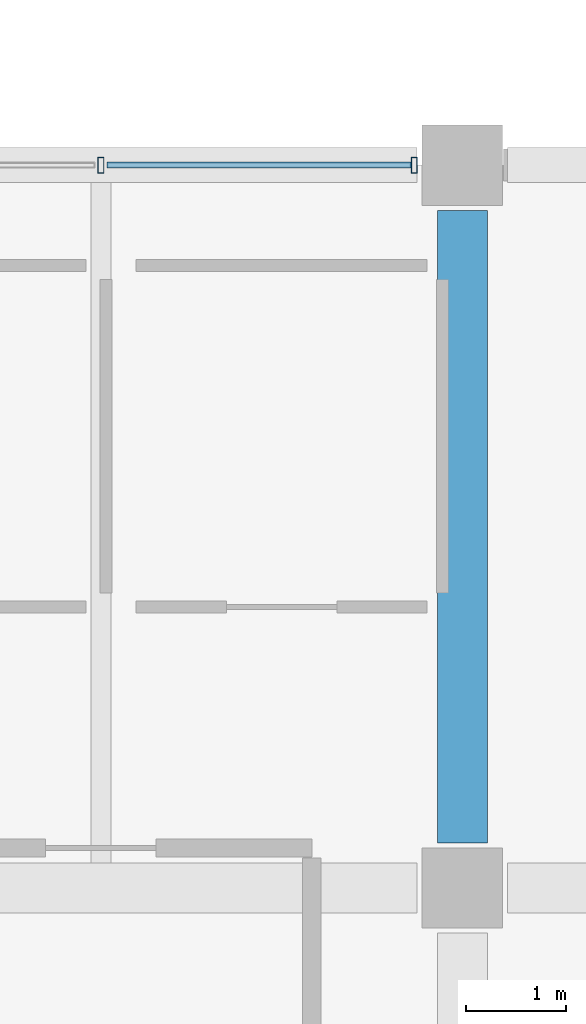
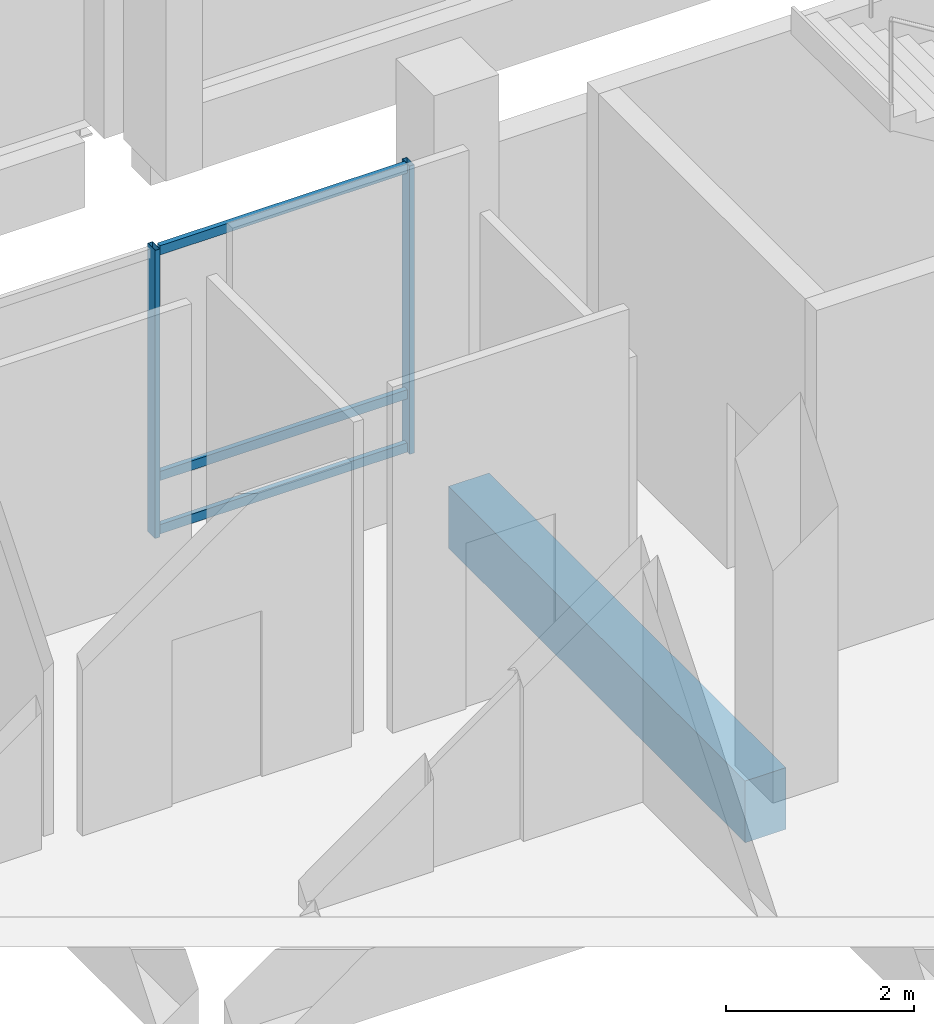
# One storey, part 99 of 220: 5 members, 1 beam, 1 element without a shape of its own.
"""IFC4 building model written with IfcOpenShell, lengths in metres."""

import ifcopenshell
import ifcopenshell.guid

model = None  # the IFC model being written
_history = None  # IfcOwnerHistory: only IFC2X3 demands one
_inside = {}  # id of a spatial element -> (the spatial element, [elements in it])
_under = {}  # id of a project, library or spatial element -> (it, [spatial elements below it])
_declared = {}  # id of a project -> (the project, [libraries it declares])
_typed = {}  # id of a type object -> (the type object, [elements of that type])
_made_of = {}  # id of a material, layer set ... -> (it, [elements and type objects made of it])


def new_model(schema):
    """Start an empty IFC model of exactly this schema.

    Asked for "IFC4X3", IfcOpenShell would pick the latest addendum, in which some entities
    have other attributes; the version numbers below select the first issue.
    IFC2X3 requires an IfcOwnerHistory on every rooted entity: one is made here for all.
    """
    global model, _history
    if schema == "IFC4X3":
        model = ifcopenshell.file(schema_version=(4, 3, 0, 0))
    else:
        model = ifcopenshell.file(schema=schema)
    _inside.clear()
    _under.clear()
    _declared.clear()
    _typed.clear()
    _made_of.clear()
    _history = None
    if model.schema == "IFC2X3":
        org = make("IfcOrganization", Name="unknown")
        user = make(
            "IfcPersonAndOrganization",
            ThePerson=make("IfcPerson", FamilyName="unknown"),
            TheOrganization=org,
        )
        app = make(
            "IfcApplication",
            ApplicationDeveloper=org,
            Version="unknown",
            ApplicationFullName="unknown",
            ApplicationIdentifier="unknown",
        )
        _history = make(
            "IfcOwnerHistory",
            OwningUser=user,
            OwningApplication=app,
            ChangeAction="ADDED",
            CreationDate=0,
        )
    return model


def make(cls, **values):
    """One entity of the class cls with the attributes given. An attribute that is None is left unset."""
    return model.create_entity(
        cls, **{name: value for name, value in values.items() if value is not None}
    )


def rooted(cls, **values):
    """An entity with a GlobalId (a new one), such as an element, a storey or a relation."""
    return make(cls, GlobalId=ifcopenshell.guid.new(), OwnerHistory=_history, **values)


def si_unit(unit_type, name, prefix=None):
    """IfcSIUnit, for example si_unit("LENGTHUNIT", "METRE", prefix="MILLI")."""
    return make("IfcSIUnit", UnitType=unit_type, Prefix=prefix, Name=name)


def assignment(units):
    """IfcUnitAssignment: the units of a project."""
    return None if units is None else make("IfcUnitAssignment", Units=units)


def point(xyz):
    """IfcCartesianPoint."""
    return None if xyz is None else make("IfcCartesianPoint", Coordinates=xyz)


def direction(xyz):
    """IfcDirection."""
    return None if xyz is None else make("IfcDirection", DirectionRatios=xyz)


def frame(location, z_axis=None, x_axis=None):
    """IfcAxis2Placement3D, a coordinate frame: its origin and axes. An axis left out is left unset."""
    return make(
        "IfcAxis2Placement3D",
        Location=point(location),
        Axis=direction(z_axis),
        RefDirection=direction(x_axis),
    )


def frame_2d(location, x_axis=None):
    """IfcAxis2Placement2D, a coordinate frame in the plane: its origin and x axis."""
    return make(
        "IfcAxis2Placement2D", Location=point(location), RefDirection=direction(x_axis)
    )


def origin():
    """The frame at (0, 0, 0) with its axes left unset."""
    return frame((0.0, 0.0, 0.0))


def origin_2d():
    """The frame at (0, 0) in the plane with its x axis left unset."""
    return frame_2d((0.0, 0.0))


def place(relative_to, where):
    """IfcLocalPlacement: puts the frame where relative to a parent placement (None: the world)."""
    return make(
        "IfcLocalPlacement", PlacementRelTo=relative_to, RelativePlacement=where
    )


def context(
    kind, dimensions, precision=None, world=None, true_north=None, identifier=None
):
    """IfcGeometricRepresentationContext, for example the 3D "Model" context."""
    return make(
        "IfcGeometricRepresentationContext",
        ContextIdentifier=identifier,
        ContextType=kind,
        CoordinateSpaceDimension=dimensions,
        Precision=precision,
        WorldCoordinateSystem=world,
        TrueNorth=true_north,
    )


def subcontext(parent, identifier, kind, view, scale=None):
    """IfcGeometricRepresentationSubContext, for example "Body" below "Model"."""
    return make(
        "IfcGeometricRepresentationSubContext",
        ContextIdentifier=identifier,
        ContextType=kind,
        ParentContext=parent,
        TargetScale=scale,
        TargetView=view,
    )


def project(units=None, contexts=None):
    """IfcProject with its units and contexts."""
    return rooted(
        "IfcProject",
        Name="project",
        RepresentationContexts=contexts,
        UnitsInContext=assignment(units),
    )


def spatial(cls, under=None, at=None, **own):
    """A site, building, storey or space (cls), placed at a placement, below another one or the project."""
    s = rooted(cls, ObjectPlacement=at, **own)
    if under is not None:
        _under.setdefault(under.id(), (under, []))[1].append(s)
    return s


def profile(cls, at=None, kind="AREA", **sizes):
    """A parametric profile (cls). Its sizes go by their IFC names, for example OverallWidth=200.0."""
    return make(cls, ProfileType=kind, Position=at, **sizes)


def rectangle(**sizes):
    """IfcRectangleProfileDef."""
    return profile("IfcRectangleProfileDef", **sizes)


def hollow_rectangle(**sizes):
    """IfcRectangleHollowProfileDef."""
    return profile("IfcRectangleHollowProfileDef", **sizes)


def extrude(swept, where, along, depth):
    """IfcExtrudedAreaSolid: the profile swept, set in the frame where, extruded along a direction by depth."""
    return make(
        "IfcExtrudedAreaSolid",
        SweptArea=swept,
        Position=where,
        ExtrudedDirection=direction(along),
        Depth=depth,
    )


def shape(context_of_items, identifier, shape_type, items):
    """IfcShapeRepresentation: the items that make up one representation, for example the "Body"."""
    return make(
        "IfcShapeRepresentation",
        ContextOfItems=context_of_items,
        RepresentationIdentifier=identifier,
        RepresentationType=shape_type,
        Items=items,
    )


def material(Name=None, Category=None):
    """IfcMaterial."""
    return make("IfcMaterial", Name=Name, Category=Category)


def material_profile(
    of_material, cross_section, Name=None, Category=None, Priority=None
):
    """IfcMaterialProfile: a cross section and its material."""
    return make(
        "IfcMaterialProfile",
        Name=Name,
        Material=of_material,
        Profile=cross_section,
        Priority=Priority,
        Category=Category,
    )


def profile_set(profiles, Name=None, composite=None):
    """IfcMaterialProfileSet."""
    return make(
        "IfcMaterialProfileSet",
        Name=Name,
        MaterialProfiles=profiles,
        CompositeProfile=composite,
    )


def made_of(thing, what):
    """Note that an element or type object is made of a material, layer set ...; save() writes the relation."""
    if what is not None:
        _made_of.setdefault(what.id(), (what, []))[1].append(thing)
    return thing


def type_object(cls, material=None, **own):
    """A type object (cls), such as IfcWallType, which elements share."""
    return made_of(rooted(cls, **own), material)


def element(
    cls,
    number,
    at=None,
    inside=None,
    cuts=None,
    type_object=None,
    material=None,
    context=None,
    identifier="Body",
    shape_type=None,
    held_by="IfcProductDefinitionShape",
    body=None,
    shapes=None,
    **own,
):
    """One element of the class cls, such as IfcWall. Its Tag is "e" and its number.

    at: its placement. inside: the storey or other place that contains it. cuts: it is an
    opening in that element (IfcRelVoidsElement). A single representation is given by context,
    identifier, shape_type and body (its items); several are given by shapes. held_by: the class
    of the entity that holds the representations. save() writes the other relations.
    """
    e = rooted(cls, Tag="e%d" % number, ObjectPlacement=at, **own)
    if body is not None:
        shapes = [shape(context, identifier, shape_type, body)]
    if shapes is not None:
        e.Representation = make(held_by, Representations=shapes)
    if inside is not None:
        _inside.setdefault(inside.id(), (inside, []))[1].append(e)
    if cuts is not None:
        rooted(
            "IfcRelVoidsElement", RelatingBuildingElement=cuts, RelatedOpeningElement=e
        )
    if type_object is not None:
        _typed.setdefault(type_object.id(), (type_object, []))[1].append(e)
    return made_of(e, material)


def aggregate(whole, parts):
    """IfcRelAggregates: a whole, such as a stair, and the parts it consists of."""
    return rooted("IfcRelAggregates", RelatingObject=whole, RelatedObjects=parts)


def save(model, path):
    """Write the relations noted so far, then the file.

    IfcRelAggregates (storeys below a building ...), IfcRelContainedInSpatialStructure (elements
    in a storey), IfcRelDefinesByType, IfcRelAssociatesMaterial and IfcRelDeclares: one each for
    every whole, place, type object, material and project.
    """
    for whole, parts in _under.values():
        aggregate(whole, parts)
    for where, things in _inside.values():
        rooted(
            "IfcRelContainedInSpatialStructure",
            RelatedElements=things,
            RelatingStructure=where,
        )
    for kind, things in _typed.values():
        rooted("IfcRelDefinesByType", RelatedObjects=things, RelatingType=kind)
    for what, things in _made_of.values():
        rooted("IfcRelAssociatesMaterial", RelatedObjects=things, RelatingMaterial=what)
    for by, libraries in _declared.values():
        rooted("IfcRelDeclares", RelatingContext=by, RelatedDefinitions=libraries)
    model.write(path)


model = new_model("IFC4")

# Units and contexts
model_context = context("Model", 3, precision=1e-05, world=origin(), true_north=direction((0.0, 1.0)))
body_context = subcontext(model_context, "Body", "Model", "MODEL_VIEW")
ifc_project = project(units=[si_unit("LENGTHUNIT", "METRE"), si_unit("AREAUNIT", "SQUARE_METRE"), si_unit("VOLUMEUNIT", "CUBIC_METRE"), si_unit("PLANEANGLEUNIT", "RADIAN"), si_unit("MASSUNIT", "GRAM", prefix="KILO")], contexts=[model_context])

# Site, building, storey
site_placement = place(None, origin())
site = spatial("IfcSite", under=ifc_project, at=site_placement, CompositionType="ELEMENT")
building_placement = place(site_placement, origin())
building = spatial("IfcBuilding", under=site, at=building_placement, Name="Cendralis Lancet Convention Centre", CompositionType="ELEMENT")
storey_placement = place(building_placement, frame((0.0, 0.0, 5.39990234375)))
storey = spatial("IfcBuildingStorey", under=building, at=storey_placement, Name="L01", CompositionType="ELEMENT", Elevation=5.39990234375)

# Curtain wall, members
ifc_material_1 = material(Name="Anodised bronze architectural aluminium", Category="aluminium")
curtain_wall_type = type_object("IfcCurtainWallType", Name="ARC-CW-CL02", PredefinedType="USERDEFINED", material=ifc_material_1)
curtain_wall_placement = place(storey_placement, origin())
curtain_wall = element("IfcCurtainWall", 1, at=curtain_wall_placement, inside=storey, type_object=curtain_wall_type, Name="L01 Curtain Wall CW-CL2 #184", ObjectType="CURTAIN WALL", PredefinedType="USERDEFINED")
ifc_material_profile_1 = material_profile(ifc_material_1, hollow_rectangle(XDim=0.06005859375, YDim=0.159912109375, WallThickness=0.00390625, at=origin_2d()), Name="AL-MULL 60x160x4.0")
ifc_profile_set_1 = profile_set([ifc_material_profile_1], Name="Anodised bronze architectural aluminium")
member_type_1 = type_object("IfcMemberType", Name="ARC-CW-ML01", PredefinedType="MULLION", material=ifc_profile_set_1)
member_1_placement = place(storey_placement, frame((193.199951171875, 36.0, 0.0), z_axis=(0.0, 0.0, 1.0), x_axis=(1.0, 0.0, 0.0)))
member_1 = element("IfcMember", 2, at=member_1_placement, type_object=member_type_1, Name="Mullion CW2-CW-CL2-L01-184-M1", PredefinedType="MULLION", context=body_context, shape_type="SweptSolid", body=[
    extrude(hollow_rectangle(XDim=0.06005859375, YDim=0.159912109375, WallThickness=0.00390625, at=origin_2d()), origin(), (0.0, 0.0, 1.0), 3.735107421875),
])
member_2_placement = place(storey_placement, frame((196.320068359375, 36.0, 0.0), z_axis=(0.0, 0.0, 1.0), x_axis=(1.0, 0.0, 0.0)))
member_2 = element("IfcMember", 3, at=member_2_placement, type_object=member_type_1, Name="Mullion CW2-CW-CL2-L01-184-M2", PredefinedType="MULLION", context=body_context, shape_type="SweptSolid", body=[
    extrude(hollow_rectangle(XDim=0.06005859375, YDim=0.159912109375, WallThickness=0.00390625, at=origin_2d()), origin(), (0.0, 0.0, 1.0), 3.735107421875),
])
ifc_material_profile_2 = material_profile(ifc_material_1, hollow_rectangle(XDim=0.06005859375, YDim=0.1201171875, WallThickness=0.00390625, at=origin_2d()), Name="AL-TRAN 60x120x4.0")
ifc_profile_set_2 = profile_set([ifc_material_profile_2], Name="Anodised bronze architectural aluminium")
member_type_2 = type_object("IfcMemberType", Name="ARC-CW-TR01", PredefinedType="USERDEFINED", material=ifc_profile_set_2)
member_3_placement = place(storey_placement, frame((193.260009765625, 36.0, 0.06005859375), z_axis=(1.0, 0.0, 0.0), x_axis=(0.0, 1.0, 0.0)))
member_3 = element("IfcMember", 4, at=member_3_placement, type_object=member_type_2, Name="Transom CW2-CW-CL2-L01-184-T1BOT", ObjectType="TRANSOM", PredefinedType="USERDEFINED", context=body_context, shape_type="SweptSolid", body=[
    extrude(hollow_rectangle(XDim=0.06005859375, YDim=0.1201171875, WallThickness=0.00390625, at=origin_2d()), origin(), (0.0, 0.0, 1.0), 3.030029296875),
])
member_4_placement = place(storey_placement, frame((193.260009765625, 36.0, 0.75), z_axis=(1.0, 0.0, 0.0), x_axis=(0.0, 1.0, 0.0)))
member_4 = element("IfcMember", 5, at=member_4_placement, type_object=member_type_2, Name="Transom CW2-CW-CL2-L01-184-T1MID", ObjectType="TRANSOM", PredefinedType="USERDEFINED", context=body_context, shape_type="SweptSolid", body=[
    extrude(hollow_rectangle(XDim=0.06005859375, YDim=0.1201171875, WallThickness=0.00390625, at=origin_2d()), origin(), (0.0, 0.0, 1.0), 3.030029296875),
])
member_5_placement = place(storey_placement, frame((193.260009765625, 36.0, 3.675048828125), z_axis=(1.0, 0.0, 0.0), x_axis=(0.0, 1.0, 0.0)))
member_5 = element("IfcMember", 6, at=member_5_placement, type_object=member_type_2, Name="Transom CW2-CW-CL2-L01-184-T1TOP", ObjectType="TRANSOM", PredefinedType="USERDEFINED", context=body_context, shape_type="SweptSolid", body=[
    extrude(hollow_rectangle(XDim=0.06005859375, YDim=0.1201171875, WallThickness=0.00390625, at=origin_2d()), origin(), (0.0, 0.0, 1.0), 3.030029296875),
])
aggregate(curtain_wall, [member_1, member_2, member_3, member_4, member_5])

# Beam
ifc_material_2 = material(Name="Concrete G35 (C35/45)", Category="concrete")
ifc_material_profile_3 = material_profile(ifc_material_2, rectangle(XDim=0.5, YDim=0.800048828125, at=origin_2d()), Name="RCB 500x800")
ifc_profile_set_3 = profile_set([ifc_material_profile_3], Name="Concrete G35 (C35/45)")
beam_type = type_object("IfcBeamType", Name="STR-BM-BG09", PredefinedType="BEAM", material=ifc_profile_set_3)
beam_placement = place(storey_placement, frame((196.800048828125, 29.25, -0.679931640625), z_axis=(0.0, 1.0, 0.0), x_axis=(-1.0, 0.0, 0.0)))
element("IfcBeam", 7, at=beam_placement, inside=storey, type_object=beam_type, Name="L01 Beam BG09 #0214", PredefinedType="BEAM", context=body_context, shape_type="SweptSolid", body=[
    extrude(rectangle(XDim=0.5, YDim=0.800048828125, at=origin_2d()), origin(), (0.0, 0.0, 1.0), 6.300048828125),
])

save(model, "model.ifc")
